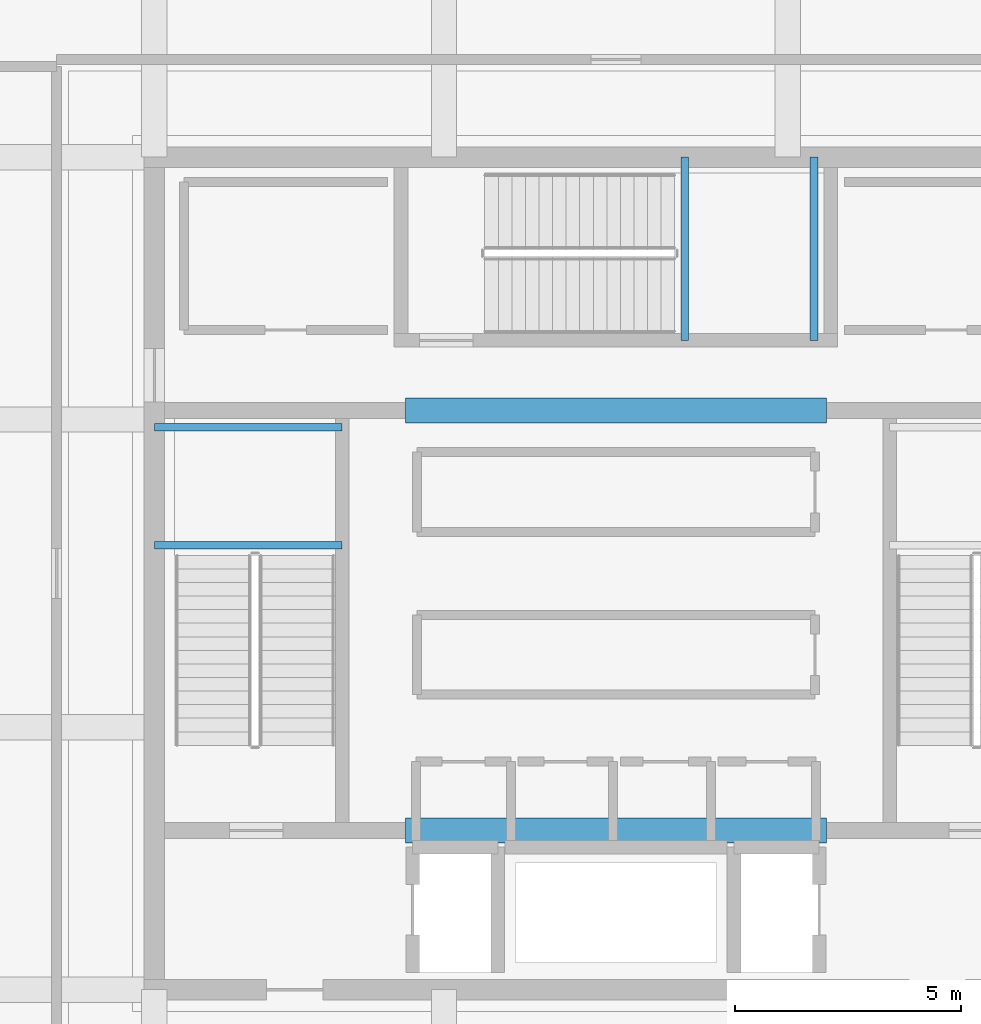
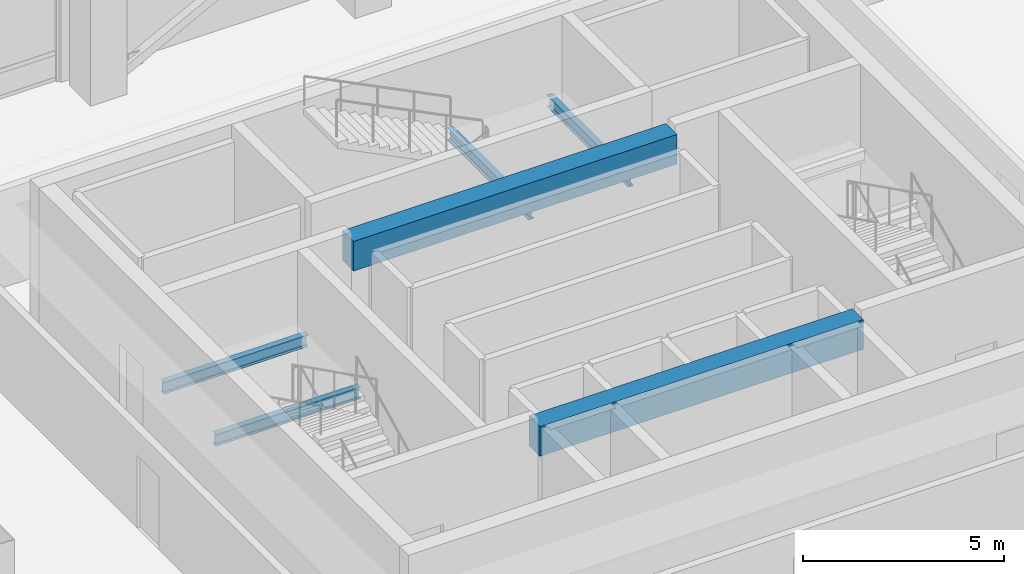
# One storey, part 11 of 33: 6 beams.
"""IFC4 building model written with IfcOpenShell, lengths in metres."""

from ifc_helpers import new_model, si_unit, direction, frame, origin, origin_2d, place, context, subcontext, project, spatial, rectangle, i_section, extrude, material, material_profile, profile_set, type_object, element, save


model = new_model("IFC4")

# Units and contexts
model_context = context("Model", 3, precision=1e-05, world=origin(), true_north=direction((0.0, 1.0)))
body_context = subcontext(model_context, "Body", "Model", "MODEL_VIEW")
ifc_project = project(units=[si_unit("LENGTHUNIT", "METRE"), si_unit("AREAUNIT", "SQUARE_METRE"), si_unit("VOLUMEUNIT", "CUBIC_METRE"), si_unit("PLANEANGLEUNIT", "RADIAN"), si_unit("MASSUNIT", "GRAM", prefix="KILO")], contexts=[model_context])

# Site, building, storey
site_placement = place(None, origin())
site = spatial("IfcSite", under=ifc_project, at=site_placement, CompositionType="ELEMENT")
building_placement = place(site_placement, origin())
building = spatial("IfcBuilding", under=site, at=building_placement, Name="Punatoya Terracotta Tower", CompositionType="ELEMENT")
storey_placement = place(building_placement, frame((0.0, 0.0, 343.800048828125)))
storey = spatial("IfcBuildingStorey", under=building, at=storey_placement, Name="L81", CompositionType="ELEMENT", Elevation=343.800048828125)

# Beams
ifc_material_1 = material(Name="Concrete C50/60", Category="concrete")
ifc_material_profile_1 = material_profile(ifc_material_1, rectangle(XDim=0.550048828125, YDim=0.89990234375, at=origin_2d()))
ifc_profile_set_1 = profile_set([ifc_material_profile_1], Name="Concrete C50/60")
beam_type_1 = type_object("IfcBeamType", Name="BM-RC-900", PredefinedType="LINTEL", material=ifc_profile_set_1)
for number, where, z_axis, x_axis, name in (
    (1, (-4.64990234375, -5.679931640625, 3.829833984375), (1.0, 0.0, 0.0), (0.0, 1.0, 0.0), "L81 Core Coupling Lintel CSW"),
    (2, (-4.64990234375, 3.60009765625, 3.829833984375), (1.0, 0.0, 0.0), (0.0, 1.0, 0.0), "L81 Core Coupling Lintel CNW"),
):
    element("IfcBeam", number, at=place(storey_placement, frame(where, z_axis=z_axis, x_axis=x_axis)), inside=storey, type_object=beam_type_1, Name=name, PredefinedType="LINTEL", context=body_context, shape_type="SweptSolid", body=[
        extrude(rectangle(XDim=0.550048828125, YDim=0.89990234375, at=origin_2d()), origin(), (0.0, 0.0, 1.0), 9.2998046875),
    ])
ifc_material_2 = material(Name="Steel S355", Category="steel")
ifc_material_profile_2 = material_profile(ifc_material_2, i_section(OverallWidth=0.169921875, OverallDepth=0.360107421875, WebThickness=0.008056640625, FlangeThickness=0.0126953125, FilletRadius=0.01806640625, at=origin_2d()))
ifc_profile_set_2 = profile_set([ifc_material_profile_2], Name="Steel S355")
beam_type_2 = type_object("IfcBeamType", Name="BM-SEC-360", PredefinedType="JOIST", material=ifc_profile_set_2)
for number, where, z_axis, x_axis, name in (
    (3, (-10.199951171875, 0.6201171875, 1.869873046875), (1.0, 0.0, 0.0), (0.0, 1.0, 0.0), "BM-L81-ST-1-LD1A"),
    (4, (-10.199951171875, 3.22998046875, 1.869873046875), (1.0, 0.0, 0.0), (0.0, 1.0, 0.0), "BM-L81-ST-1-LD1B"),
):
    element("IfcBeam", number, at=place(storey_placement, frame(where, z_axis=z_axis, x_axis=x_axis)), inside=storey, type_object=beam_type_2, Name=name, PredefinedType="JOIST", context=body_context, shape_type="SweptSolid", body=[
        extrude(i_section(OverallWidth=0.169921875, OverallDepth=0.360107421875, WebThickness=0.008056640625, FlangeThickness=0.0126953125, FilletRadius=0.01806640625, at=origin_2d()), origin(), (0.0, 0.0, 1.0), 4.14990234375),
    ])
for number, where, z_axis, x_axis, name in (
    (5, (1.52001953125, 5.14990234375, 1.869873046875), (0.0, 1.0, 0.0), (-1.0, 0.0, 0.0), "BM-L81-ST-3-LD1A"),
    (6, (4.3798828125, 5.14990234375, 1.869873046875), (0.0, 1.0, 0.0), (-1.0, 0.0, 0.0), "BM-L81-ST-3-LD1B"),
):
    element("IfcBeam", number, at=place(storey_placement, frame(where, z_axis=z_axis, x_axis=x_axis)), inside=storey, type_object=beam_type_2, Name=name, PredefinedType="JOIST", context=body_context, shape_type="SweptSolid", body=[
        extrude(i_section(OverallWidth=0.169921875, OverallDepth=0.360107421875, WebThickness=0.008056640625, FlangeThickness=0.0126953125, FilletRadius=0.01806640625, at=origin_2d()), origin(), (0.0, 0.0, 1.0), 4.050048828125),
    ])

save(model, "model.ifc")
